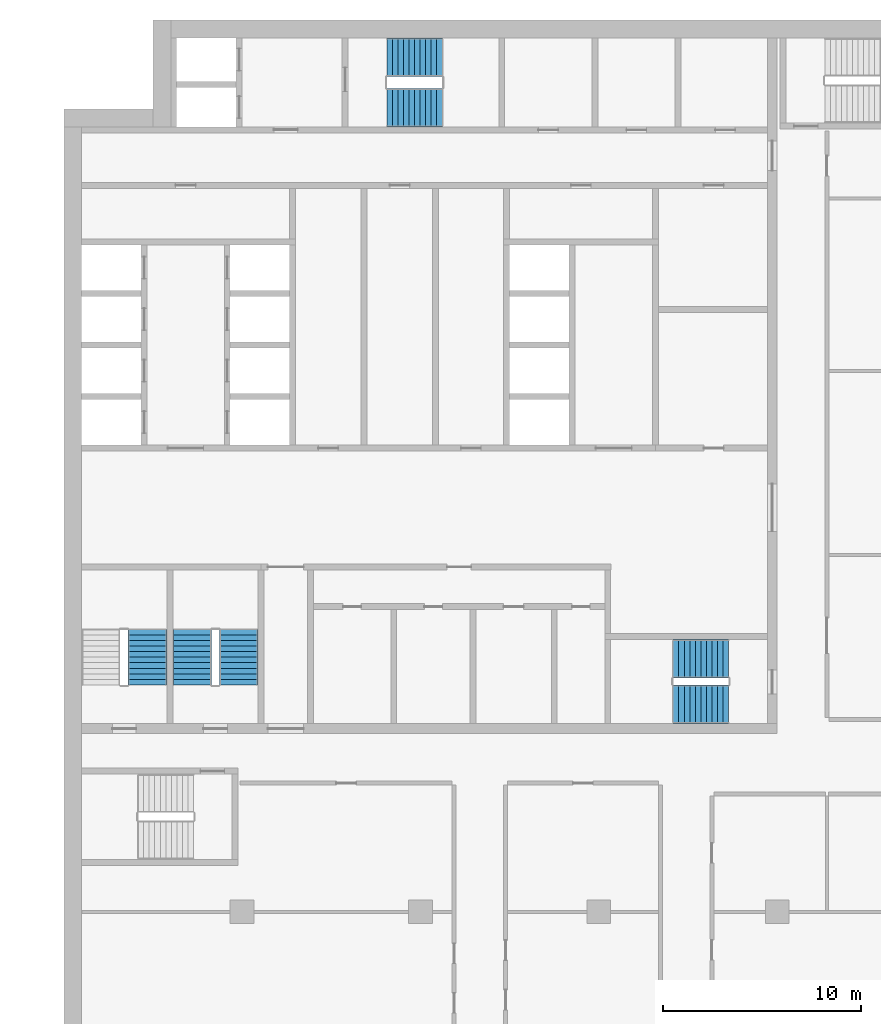
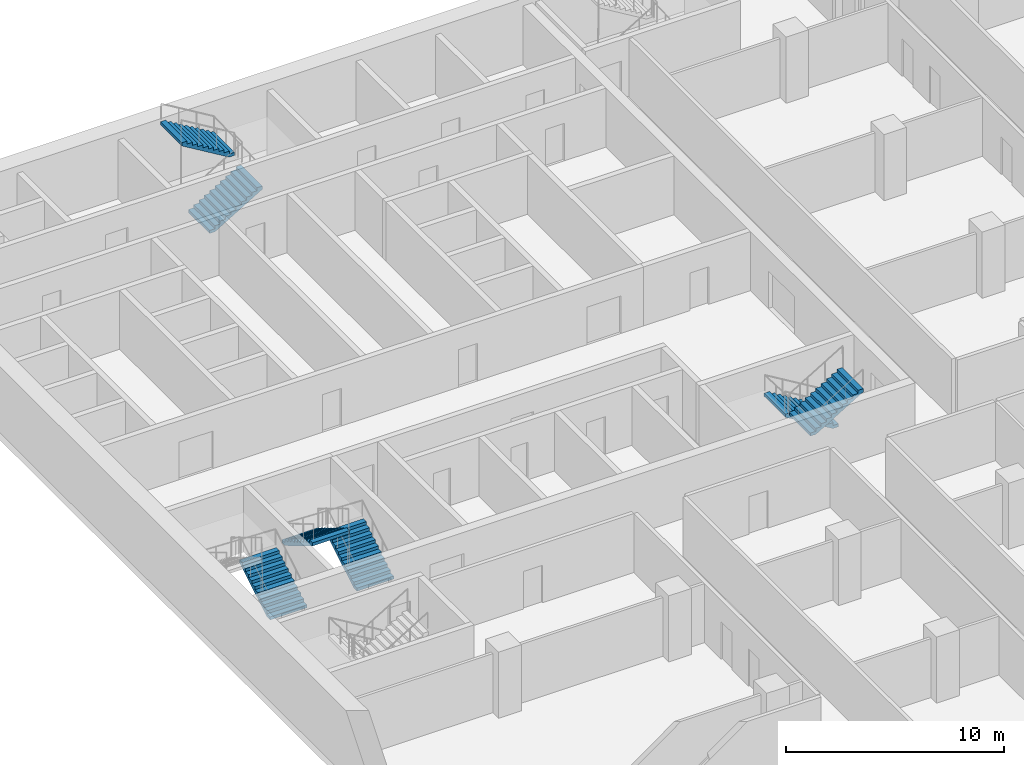
# One storey, part 17 of 23: 7 stair flights, 4 elements without a shape of their own.
"""IFC4 building model written with IfcOpenShell, lengths in metres."""

from ifc_helpers import new_model, si_unit, direction, frame, origin, place, context, subcontext, project, spatial, polyline, outline, extrude, material, type_object, element, aggregate, save


model = new_model("IFC4")

# Units and contexts
model_context = context("Model", 3, precision=1e-05, world=origin(), true_north=direction((0.0, 1.0)))
body_context = subcontext(model_context, "Body", "Model", "MODEL_VIEW")
ifc_project = project(units=[si_unit("LENGTHUNIT", "METRE"), si_unit("AREAUNIT", "SQUARE_METRE"), si_unit("VOLUMEUNIT", "CUBIC_METRE"), si_unit("PLANEANGLEUNIT", "RADIAN"), si_unit("MASSUNIT", "GRAM", prefix="KILO")], contexts=[model_context])

# Site, building, storey
site_placement = place(None, origin())
site = spatial("IfcSite", under=ifc_project, at=site_placement, CompositionType="ELEMENT")
building_placement = place(site_placement, origin())
building = spatial("IfcBuilding", under=site, at=building_placement, Name="Hunhe Ridgeline Campus", CompositionType="ELEMENT")
storey_placement = place(building_placement, frame((0.0, 0.0, 148.60009765625)))
storey = spatial("IfcBuildingStorey", under=building, at=storey_placement, Name="L37", CompositionType="ELEMENT", Elevation=148.60009765625)

# Stair, stair flights
ifc_material = material(Name="Concrete C40", Category="concrete")
stair_type = type_object("IfcStairType", Name="Reinforced concrete dog-leg stair 1950 Concrete C40", PredefinedType="HALF_TURN_STAIR", material=ifc_material)
stair_1_placement = place(storey_placement, origin())
stair_1 = element("IfcStair", 1, at=stair_1_placement, inside=storey, type_object=stair_type, Name="L37 S1", PredefinedType="HALF_TURN_STAIR")
stair_flight_type = type_object("IfcStairFlightType", Name="Reinforced concrete stair flight 1950 Concrete C40", PredefinedType="STRAIGHT", material=ifc_material)
stair_flight_1_placement = place(storey_placement, frame((16.300048828125, 94.574951171875, 0.0), z_axis=(0.0, 0.0, 1.0), x_axis=(1.0, 0.0, 0.0)))
stair_flight_1 = element("IfcStairFlight", 2, at=stair_flight_1_placement, type_object=stair_flight_type, Name="ST1 flight 1", NumberOfRisers=11, NumberOfTreads=10, PredefinedType="STRAIGHT", RiserHeight=0.168181818, TreadLength=0.28, context=body_context, shape_type="SweptSolid", body=[
    extrude(outline(polyline([(0.0, 0.0), (0.0, 0.168212890625), (0.280029296875, 0.168212890625), (0.280029296875, 0.33642578125), (0.56005859375, 0.33642578125), (0.56005859375, 0.504638671875), (0.840087890625, 0.504638671875), (0.840087890625, 0.672607421875), (1.1201171875, 0.672607421875), (1.1201171875, 0.8408203125), (1.39990234375, 0.8408203125), (1.39990234375, 1.009033203125), (1.679931640625, 1.009033203125), (1.679931640625, 1.17724609375), (1.9599609375, 1.17724609375), (1.9599609375, 1.345458984375), (2.239990234375, 1.345458984375), (2.239990234375, 1.513671875), (2.52001953125, 1.513671875), (2.52001953125, 1.681884765625), (2.800048828125, 1.681884765625), (2.800048828125, 1.85009765625), (2.800048828125, 1.5068359375), (0.291015625, 0.0), (0.0, 0.0)])), frame((0.0, 0.97509765625, 0.0), z_axis=(0.0, -1.0, 0.0), x_axis=(1.0, 0.0, 0.0)), (0.0, 0.0, 1.0), 1.949951171875),
    extrude(outline(polyline([(0.030029296875, 0.030029296875), (0.030029296875, 0.13818359375), (0.31005859375, 0.13818359375), (0.31005859375, 0.306396484375), (0.590087890625, 0.306396484375), (0.590087890625, 0.474609375), (0.8701171875, 0.474609375), (0.8701171875, 0.642578125), (1.14990234375, 0.642578125), (1.14990234375, 0.810791015625), (1.429931640625, 0.810791015625), (1.429931640625, 0.97900390625), (1.7099609375, 0.97900390625), (1.7099609375, 1.147216796875), (1.989990234375, 1.147216796875), (1.989990234375, 1.3154296875), (2.27001953125, 1.3154296875), (2.27001953125, 1.483642578125), (2.550048828125, 1.483642578125), (2.550048828125, 1.65185546875), (2.77001953125, 1.65185546875), (2.77001953125, 1.52392578125), (0.28271484375, 0.030029296875), (0.030029296875, 0.030029296875)])), frame((0.0, -0.070068359375, 0.0), z_axis=(0.0, -1.0, 0.0), x_axis=(1.0, 0.0, 0.0)), (0.0, 0.0, 1.0), 0.019775390625),
    extrude(outline(polyline([(0.030029296875, 0.030029296875), (0.030029296875, 0.13818359375), (0.31005859375, 0.13818359375), (0.31005859375, 0.306396484375), (0.590087890625, 0.306396484375), (0.590087890625, 0.474609375), (0.8701171875, 0.474609375), (0.8701171875, 0.642578125), (1.14990234375, 0.642578125), (1.14990234375, 0.810791015625), (1.429931640625, 0.810791015625), (1.429931640625, 0.97900390625), (1.7099609375, 0.97900390625), (1.7099609375, 1.147216796875), (1.989990234375, 1.147216796875), (1.989990234375, 1.3154296875), (2.27001953125, 1.3154296875), (2.27001953125, 1.483642578125), (2.550048828125, 1.483642578125), (2.550048828125, 1.65185546875), (2.77001953125, 1.65185546875), (2.77001953125, 1.52392578125), (0.28271484375, 0.030029296875), (0.030029296875, 0.030029296875)])), frame((0.0, 0.010009765625, 0.0), z_axis=(0.0, -1.0, 0.0), x_axis=(1.0, 0.0, 0.0)), (0.0, 0.0, 1.0), 0.019775390625),
    extrude(outline(polyline([(0.030029296875, 0.030029296875), (0.030029296875, 0.13818359375), (0.31005859375, 0.13818359375), (0.31005859375, 0.306396484375), (0.590087890625, 0.306396484375), (0.590087890625, 0.474609375), (0.8701171875, 0.474609375), (0.8701171875, 0.642578125), (1.14990234375, 0.642578125), (1.14990234375, 0.810791015625), (1.429931640625, 0.810791015625), (1.429931640625, 0.97900390625), (1.7099609375, 0.97900390625), (1.7099609375, 1.147216796875), (1.989990234375, 1.147216796875), (1.989990234375, 1.3154296875), (2.27001953125, 1.3154296875), (2.27001953125, 1.483642578125), (2.550048828125, 1.483642578125), (2.550048828125, 1.65185546875), (2.77001953125, 1.65185546875), (2.77001953125, 1.52392578125), (0.28271484375, 0.030029296875), (0.030029296875, 0.030029296875)])), frame((0.0, 0.090087890625, 0.0), z_axis=(0.0, -1.0, 0.0), x_axis=(1.0, 0.0, 0.0)), (0.0, 0.0, 1.0), 0.019775390625),
])
stair_flight_2_placement = place(storey_placement, frame((19.10009765625, 97.125, 1.849853515625), z_axis=(0.0, 0.0, 1.0), x_axis=(-1.0, 0.0, 0.0)))
stair_flight_2 = element("IfcStairFlight", 3, at=stair_flight_2_placement, type_object=stair_flight_type, Name="ST1 flight 2", NumberOfRisers=11, NumberOfTreads=10, PredefinedType="STRAIGHT", RiserHeight=0.168181818, TreadLength=0.28, context=body_context, shape_type="SweptSolid", body=[
    extrude(outline(polyline([(0.0, 0.0), (0.0, 0.168212890625), (0.280029296875, 0.168212890625), (0.280029296875, 0.33642578125), (0.56005859375, 0.33642578125), (0.56005859375, 0.504638671875), (0.840087890625, 0.504638671875), (0.840087890625, 0.672607421875), (1.1201171875, 0.672607421875), (1.1201171875, 0.8408203125), (1.39990234375, 0.8408203125), (1.39990234375, 1.009033203125), (1.679931640625, 1.009033203125), (1.679931640625, 1.17724609375), (1.9599609375, 1.17724609375), (1.9599609375, 1.345458984375), (2.239990234375, 1.345458984375), (2.239990234375, 1.513671875), (2.52001953125, 1.513671875), (2.52001953125, 1.681884765625), (2.800048828125, 1.681884765625), (2.800048828125, 1.85009765625), (2.800048828125, 1.5068359375), (0.291015625, 0.0), (0.0, 0.0)])), frame((0.0, 0.97509765625, 0.0), z_axis=(0.0, -1.0, 0.0), x_axis=(1.0, 0.0, 0.0)), (0.0, 0.0, 1.0), 1.949951171875),
    extrude(outline(polyline([(0.030029296875, 0.030029296875), (0.030029296875, 0.13818359375), (0.31005859375, 0.13818359375), (0.31005859375, 0.306396484375), (0.590087890625, 0.306396484375), (0.590087890625, 0.474609375), (0.8701171875, 0.474609375), (0.8701171875, 0.642578125), (1.14990234375, 0.642578125), (1.14990234375, 0.810791015625), (1.429931640625, 0.810791015625), (1.429931640625, 0.97900390625), (1.7099609375, 0.97900390625), (1.7099609375, 1.147216796875), (1.989990234375, 1.147216796875), (1.989990234375, 1.3154296875), (2.27001953125, 1.3154296875), (2.27001953125, 1.483642578125), (2.550048828125, 1.483642578125), (2.550048828125, 1.65185546875), (2.77001953125, 1.65185546875), (2.77001953125, 1.52392578125), (0.28271484375, 0.030029296875), (0.030029296875, 0.030029296875)])), frame((0.0, -0.070068359375, 0.0), z_axis=(0.0, -1.0, 0.0), x_axis=(1.0, 0.0, 0.0)), (0.0, 0.0, 1.0), 0.019775390625),
    extrude(outline(polyline([(0.030029296875, 0.030029296875), (0.030029296875, 0.13818359375), (0.31005859375, 0.13818359375), (0.31005859375, 0.306396484375), (0.590087890625, 0.306396484375), (0.590087890625, 0.474609375), (0.8701171875, 0.474609375), (0.8701171875, 0.642578125), (1.14990234375, 0.642578125), (1.14990234375, 0.810791015625), (1.429931640625, 0.810791015625), (1.429931640625, 0.97900390625), (1.7099609375, 0.97900390625), (1.7099609375, 1.147216796875), (1.989990234375, 1.147216796875), (1.989990234375, 1.3154296875), (2.27001953125, 1.3154296875), (2.27001953125, 1.483642578125), (2.550048828125, 1.483642578125), (2.550048828125, 1.65185546875), (2.77001953125, 1.65185546875), (2.77001953125, 1.52392578125), (0.28271484375, 0.030029296875), (0.030029296875, 0.030029296875)])), frame((0.0, 0.010009765625, 0.0), z_axis=(0.0, -1.0, 0.0), x_axis=(1.0, 0.0, 0.0)), (0.0, 0.0, 1.0), 0.019775390625),
    extrude(outline(polyline([(0.030029296875, 0.030029296875), (0.030029296875, 0.13818359375), (0.31005859375, 0.13818359375), (0.31005859375, 0.306396484375), (0.590087890625, 0.306396484375), (0.590087890625, 0.474609375), (0.8701171875, 0.474609375), (0.8701171875, 0.642578125), (1.14990234375, 0.642578125), (1.14990234375, 0.810791015625), (1.429931640625, 0.810791015625), (1.429931640625, 0.97900390625), (1.7099609375, 0.97900390625), (1.7099609375, 1.147216796875), (1.989990234375, 1.147216796875), (1.989990234375, 1.3154296875), (2.27001953125, 1.3154296875), (2.27001953125, 1.483642578125), (2.550048828125, 1.483642578125), (2.550048828125, 1.65185546875), (2.77001953125, 1.65185546875), (2.77001953125, 1.52392578125), (0.28271484375, 0.030029296875), (0.030029296875, 0.030029296875)])), frame((0.0, 0.090087890625, 0.0), z_axis=(0.0, -1.0, 0.0), x_axis=(1.0, 0.0, 0.0)), (0.0, 0.0, 1.0), 0.019775390625),
])
aggregate(stair_1, [stair_flight_1, stair_flight_2])

stair_2_placement = place(storey_placement, origin())
stair_2 = element("IfcStair", 4, at=stair_2_placement, inside=storey, type_object=stair_type, Name="L37 S2", PredefinedType="HALF_TURN_STAIR")
stair_flight_3_placement = place(storey_placement, frame((33.550048828125, 66.77490234375, 0.0), z_axis=(0.0, 0.0, 1.0), x_axis=(-1.0, 0.0, 0.0)))
stair_flight_3 = element("IfcStairFlight", 5, at=stair_flight_3_placement, type_object=stair_flight_type, Name="ST2 flight 1", NumberOfRisers=11, NumberOfTreads=10, PredefinedType="STRAIGHT", RiserHeight=0.168181818, TreadLength=0.28, context=body_context, shape_type="SweptSolid", body=[
    extrude(outline(polyline([(0.0, 0.0), (0.0, 0.168212890625), (0.280029296875, 0.168212890625), (0.280029296875, 0.33642578125), (0.56005859375, 0.33642578125), (0.56005859375, 0.504638671875), (0.840087890625, 0.504638671875), (0.840087890625, 0.672607421875), (1.1201171875, 0.672607421875), (1.1201171875, 0.8408203125), (1.39990234375, 0.8408203125), (1.39990234375, 1.009033203125), (1.679931640625, 1.009033203125), (1.679931640625, 1.17724609375), (1.9599609375, 1.17724609375), (1.9599609375, 1.345458984375), (2.239990234375, 1.345458984375), (2.239990234375, 1.513671875), (2.52001953125, 1.513671875), (2.52001953125, 1.681884765625), (2.800048828125, 1.681884765625), (2.800048828125, 1.85009765625), (2.800048828125, 1.5068359375), (0.291015625, 0.0), (0.0, 0.0)])), frame((0.0, 0.97509765625, 0.0), z_axis=(0.0, -1.0, 0.0), x_axis=(1.0, 0.0, 0.0)), (0.0, 0.0, 1.0), 1.949951171875),
    extrude(outline(polyline([(0.030029296875, 0.030029296875), (0.030029296875, 0.13818359375), (0.31005859375, 0.13818359375), (0.31005859375, 0.306396484375), (0.590087890625, 0.306396484375), (0.590087890625, 0.474609375), (0.8701171875, 0.474609375), (0.8701171875, 0.642578125), (1.14990234375, 0.642578125), (1.14990234375, 0.810791015625), (1.429931640625, 0.810791015625), (1.429931640625, 0.97900390625), (1.7099609375, 0.97900390625), (1.7099609375, 1.147216796875), (1.989990234375, 1.147216796875), (1.989990234375, 1.3154296875), (2.27001953125, 1.3154296875), (2.27001953125, 1.483642578125), (2.550048828125, 1.483642578125), (2.550048828125, 1.65185546875), (2.77001953125, 1.65185546875), (2.77001953125, 1.52392578125), (0.28271484375, 0.030029296875), (0.030029296875, 0.030029296875)])), frame((0.0, -0.070068359375, 0.0), z_axis=(0.0, -1.0, 0.0), x_axis=(1.0, 0.0, 0.0)), (0.0, 0.0, 1.0), 0.019775390625),
    extrude(outline(polyline([(0.030029296875, 0.030029296875), (0.030029296875, 0.13818359375), (0.31005859375, 0.13818359375), (0.31005859375, 0.306396484375), (0.590087890625, 0.306396484375), (0.590087890625, 0.474609375), (0.8701171875, 0.474609375), (0.8701171875, 0.642578125), (1.14990234375, 0.642578125), (1.14990234375, 0.810791015625), (1.429931640625, 0.810791015625), (1.429931640625, 0.97900390625), (1.7099609375, 0.97900390625), (1.7099609375, 1.147216796875), (1.989990234375, 1.147216796875), (1.989990234375, 1.3154296875), (2.27001953125, 1.3154296875), (2.27001953125, 1.483642578125), (2.550048828125, 1.483642578125), (2.550048828125, 1.65185546875), (2.77001953125, 1.65185546875), (2.77001953125, 1.52392578125), (0.28271484375, 0.030029296875), (0.030029296875, 0.030029296875)])), frame((0.0, 0.010009765625, 0.0), z_axis=(0.0, -1.0, 0.0), x_axis=(1.0, 0.0, 0.0)), (0.0, 0.0, 1.0), 0.019775390625),
    extrude(outline(polyline([(0.030029296875, 0.030029296875), (0.030029296875, 0.13818359375), (0.31005859375, 0.13818359375), (0.31005859375, 0.306396484375), (0.590087890625, 0.306396484375), (0.590087890625, 0.474609375), (0.8701171875, 0.474609375), (0.8701171875, 0.642578125), (1.14990234375, 0.642578125), (1.14990234375, 0.810791015625), (1.429931640625, 0.810791015625), (1.429931640625, 0.97900390625), (1.7099609375, 0.97900390625), (1.7099609375, 1.147216796875), (1.989990234375, 1.147216796875), (1.989990234375, 1.3154296875), (2.27001953125, 1.3154296875), (2.27001953125, 1.483642578125), (2.550048828125, 1.483642578125), (2.550048828125, 1.65185546875), (2.77001953125, 1.65185546875), (2.77001953125, 1.52392578125), (0.28271484375, 0.030029296875), (0.030029296875, 0.030029296875)])), frame((0.0, 0.090087890625, 0.0), z_axis=(0.0, -1.0, 0.0), x_axis=(1.0, 0.0, 0.0)), (0.0, 0.0, 1.0), 0.019775390625),
])
stair_flight_4_placement = place(storey_placement, frame((30.75, 64.47509765625, 1.849853515625), z_axis=(0.0, 0.0, 1.0), x_axis=(1.0, 0.0, 0.0)))
stair_flight_4 = element("IfcStairFlight", 6, at=stair_flight_4_placement, type_object=stair_flight_type, Name="ST2 flight 2", NumberOfRisers=11, NumberOfTreads=10, PredefinedType="STRAIGHT", RiserHeight=0.168181818, TreadLength=0.28, context=body_context, shape_type="SweptSolid", body=[
    extrude(outline(polyline([(0.0, 0.0), (0.0, 0.168212890625), (0.280029296875, 0.168212890625), (0.280029296875, 0.33642578125), (0.56005859375, 0.33642578125), (0.56005859375, 0.504638671875), (0.840087890625, 0.504638671875), (0.840087890625, 0.672607421875), (1.1201171875, 0.672607421875), (1.1201171875, 0.8408203125), (1.39990234375, 0.8408203125), (1.39990234375, 1.009033203125), (1.679931640625, 1.009033203125), (1.679931640625, 1.17724609375), (1.9599609375, 1.17724609375), (1.9599609375, 1.345458984375), (2.239990234375, 1.345458984375), (2.239990234375, 1.513671875), (2.52001953125, 1.513671875), (2.52001953125, 1.681884765625), (2.800048828125, 1.681884765625), (2.800048828125, 1.85009765625), (2.800048828125, 1.5068359375), (0.291015625, 0.0), (0.0, 0.0)])), frame((0.0, 0.97509765625, 0.0), z_axis=(0.0, -1.0, 0.0), x_axis=(1.0, 0.0, 0.0)), (0.0, 0.0, 1.0), 1.949951171875),
    extrude(outline(polyline([(0.030029296875, 0.030029296875), (0.030029296875, 0.13818359375), (0.31005859375, 0.13818359375), (0.31005859375, 0.306396484375), (0.590087890625, 0.306396484375), (0.590087890625, 0.474609375), (0.8701171875, 0.474609375), (0.8701171875, 0.642578125), (1.14990234375, 0.642578125), (1.14990234375, 0.810791015625), (1.429931640625, 0.810791015625), (1.429931640625, 0.97900390625), (1.7099609375, 0.97900390625), (1.7099609375, 1.147216796875), (1.989990234375, 1.147216796875), (1.989990234375, 1.3154296875), (2.27001953125, 1.3154296875), (2.27001953125, 1.483642578125), (2.550048828125, 1.483642578125), (2.550048828125, 1.65185546875), (2.77001953125, 1.65185546875), (2.77001953125, 1.52392578125), (0.28271484375, 0.030029296875), (0.030029296875, 0.030029296875)])), frame((0.0, -0.070068359375, 0.0), z_axis=(0.0, -1.0, 0.0), x_axis=(1.0, 0.0, 0.0)), (0.0, 0.0, 1.0), 0.019775390625),
    extrude(outline(polyline([(0.030029296875, 0.030029296875), (0.030029296875, 0.13818359375), (0.31005859375, 0.13818359375), (0.31005859375, 0.306396484375), (0.590087890625, 0.306396484375), (0.590087890625, 0.474609375), (0.8701171875, 0.474609375), (0.8701171875, 0.642578125), (1.14990234375, 0.642578125), (1.14990234375, 0.810791015625), (1.429931640625, 0.810791015625), (1.429931640625, 0.97900390625), (1.7099609375, 0.97900390625), (1.7099609375, 1.147216796875), (1.989990234375, 1.147216796875), (1.989990234375, 1.3154296875), (2.27001953125, 1.3154296875), (2.27001953125, 1.483642578125), (2.550048828125, 1.483642578125), (2.550048828125, 1.65185546875), (2.77001953125, 1.65185546875), (2.77001953125, 1.52392578125), (0.28271484375, 0.030029296875), (0.030029296875, 0.030029296875)])), frame((0.0, 0.010009765625, 0.0), z_axis=(0.0, -1.0, 0.0), x_axis=(1.0, 0.0, 0.0)), (0.0, 0.0, 1.0), 0.019775390625),
    extrude(outline(polyline([(0.030029296875, 0.030029296875), (0.030029296875, 0.13818359375), (0.31005859375, 0.13818359375), (0.31005859375, 0.306396484375), (0.590087890625, 0.306396484375), (0.590087890625, 0.474609375), (0.8701171875, 0.474609375), (0.8701171875, 0.642578125), (1.14990234375, 0.642578125), (1.14990234375, 0.810791015625), (1.429931640625, 0.810791015625), (1.429931640625, 0.97900390625), (1.7099609375, 0.97900390625), (1.7099609375, 1.147216796875), (1.989990234375, 1.147216796875), (1.989990234375, 1.3154296875), (2.27001953125, 1.3154296875), (2.27001953125, 1.483642578125), (2.550048828125, 1.483642578125), (2.550048828125, 1.65185546875), (2.77001953125, 1.65185546875), (2.77001953125, 1.52392578125), (0.28271484375, 0.030029296875), (0.030029296875, 0.030029296875)])), frame((0.0, 0.090087890625, 0.0), z_axis=(0.0, -1.0, 0.0), x_axis=(1.0, 0.0, 0.0)), (0.0, 0.0, 1.0), 0.019775390625),
])
aggregate(stair_2, [stair_flight_3, stair_flight_4])

# Stair, stair flight
stair_3_placement = place(storey_placement, origin())
stair_3 = element("IfcStair", 7, at=stair_3_placement, inside=storey, type_object=stair_type, Name="L37 S3", PredefinedType="HALF_TURN_STAIR")
stair_flight_5_placement = place(storey_placement, frame((4.22509765625, 65.449951171875, 0.0), z_axis=(0.0, 0.0, 1.0), x_axis=(0.0, 1.0, 0.0)))
stair_flight_5 = element("IfcStairFlight", 8, at=stair_flight_5_placement, type_object=stair_flight_type, Name="ST3 flight 1", NumberOfRisers=11, NumberOfTreads=10, PredefinedType="STRAIGHT", RiserHeight=0.168181818, TreadLength=0.28, context=body_context, shape_type="SweptSolid", body=[
    extrude(outline(polyline([(0.0, 0.0), (0.0, 0.168212890625), (0.280029296875, 0.168212890625), (0.280029296875, 0.33642578125), (0.56005859375, 0.33642578125), (0.56005859375, 0.504638671875), (0.840087890625, 0.504638671875), (0.840087890625, 0.672607421875), (1.1201171875, 0.672607421875), (1.1201171875, 0.8408203125), (1.39990234375, 0.8408203125), (1.39990234375, 1.009033203125), (1.679931640625, 1.009033203125), (1.679931640625, 1.17724609375), (1.9599609375, 1.17724609375), (1.9599609375, 1.345458984375), (2.239990234375, 1.345458984375), (2.239990234375, 1.513671875), (2.52001953125, 1.513671875), (2.52001953125, 1.681884765625), (2.800048828125, 1.681884765625), (2.800048828125, 1.85009765625), (2.800048828125, 1.5068359375), (0.291015625, 0.0), (0.0, 0.0)])), frame((0.0, 0.97509765625, 0.0), z_axis=(0.0, -1.0, 0.0), x_axis=(1.0, 0.0, 0.0)), (0.0, 0.0, 1.0), 1.949951171875),
    extrude(outline(polyline([(0.030029296875, 0.030029296875), (0.030029296875, 0.13818359375), (0.31005859375, 0.13818359375), (0.31005859375, 0.306396484375), (0.590087890625, 0.306396484375), (0.590087890625, 0.474609375), (0.8701171875, 0.474609375), (0.8701171875, 0.642578125), (1.14990234375, 0.642578125), (1.14990234375, 0.810791015625), (1.429931640625, 0.810791015625), (1.429931640625, 0.97900390625), (1.7099609375, 0.97900390625), (1.7099609375, 1.147216796875), (1.989990234375, 1.147216796875), (1.989990234375, 1.3154296875), (2.27001953125, 1.3154296875), (2.27001953125, 1.483642578125), (2.550048828125, 1.483642578125), (2.550048828125, 1.65185546875), (2.77001953125, 1.65185546875), (2.77001953125, 1.52392578125), (0.28271484375, 0.030029296875), (0.030029296875, 0.030029296875)])), frame((0.0, -0.070068359375, 0.0), z_axis=(0.0, -1.0, 0.0), x_axis=(1.0, 0.0, 0.0)), (0.0, 0.0, 1.0), 0.019775390625),
    extrude(outline(polyline([(0.030029296875, 0.030029296875), (0.030029296875, 0.13818359375), (0.31005859375, 0.13818359375), (0.31005859375, 0.306396484375), (0.590087890625, 0.306396484375), (0.590087890625, 0.474609375), (0.8701171875, 0.474609375), (0.8701171875, 0.642578125), (1.14990234375, 0.642578125), (1.14990234375, 0.810791015625), (1.429931640625, 0.810791015625), (1.429931640625, 0.97900390625), (1.7099609375, 0.97900390625), (1.7099609375, 1.147216796875), (1.989990234375, 1.147216796875), (1.989990234375, 1.3154296875), (2.27001953125, 1.3154296875), (2.27001953125, 1.483642578125), (2.550048828125, 1.483642578125), (2.550048828125, 1.65185546875), (2.77001953125, 1.65185546875), (2.77001953125, 1.52392578125), (0.28271484375, 0.030029296875), (0.030029296875, 0.030029296875)])), frame((0.0, 0.010009765625, 0.0), z_axis=(0.0, -1.0, 0.0), x_axis=(1.0, 0.0, 0.0)), (0.0, 0.0, 1.0), 0.019775390625),
    extrude(outline(polyline([(0.030029296875, 0.030029296875), (0.030029296875, 0.13818359375), (0.31005859375, 0.13818359375), (0.31005859375, 0.306396484375), (0.590087890625, 0.306396484375), (0.590087890625, 0.474609375), (0.8701171875, 0.474609375), (0.8701171875, 0.642578125), (1.14990234375, 0.642578125), (1.14990234375, 0.810791015625), (1.429931640625, 0.810791015625), (1.429931640625, 0.97900390625), (1.7099609375, 0.97900390625), (1.7099609375, 1.147216796875), (1.989990234375, 1.147216796875), (1.989990234375, 1.3154296875), (2.27001953125, 1.3154296875), (2.27001953125, 1.483642578125), (2.550048828125, 1.483642578125), (2.550048828125, 1.65185546875), (2.77001953125, 1.65185546875), (2.77001953125, 1.52392578125), (0.28271484375, 0.030029296875), (0.030029296875, 0.030029296875)])), frame((0.0, 0.090087890625, 0.0), z_axis=(0.0, -1.0, 0.0), x_axis=(1.0, 0.0, 0.0)), (0.0, 0.0, 1.0), 0.019775390625),
])
aggregate(stair_3, [stair_flight_5])

# Stair, stair flights
stair_4_placement = place(storey_placement, origin())
stair_4 = element("IfcStair", 9, at=stair_4_placement, inside=storey, type_object=stair_type, Name="L37 S4", PredefinedType="HALF_TURN_STAIR")
stair_flight_6_placement = place(storey_placement, frame((8.824951171875, 65.449951171875, 0.0), z_axis=(0.0, 0.0, 1.0), x_axis=(0.0, 1.0, 0.0)))
stair_flight_6 = element("IfcStairFlight", 10, at=stair_flight_6_placement, type_object=stair_flight_type, Name="ST4 flight 1", NumberOfRisers=11, NumberOfTreads=10, PredefinedType="STRAIGHT", RiserHeight=0.168181818, TreadLength=0.28, context=body_context, shape_type="SweptSolid", body=[
    extrude(outline(polyline([(0.0, 0.0), (0.0, 0.168212890625), (0.280029296875, 0.168212890625), (0.280029296875, 0.33642578125), (0.56005859375, 0.33642578125), (0.56005859375, 0.504638671875), (0.840087890625, 0.504638671875), (0.840087890625, 0.672607421875), (1.1201171875, 0.672607421875), (1.1201171875, 0.8408203125), (1.39990234375, 0.8408203125), (1.39990234375, 1.009033203125), (1.679931640625, 1.009033203125), (1.679931640625, 1.17724609375), (1.9599609375, 1.17724609375), (1.9599609375, 1.345458984375), (2.239990234375, 1.345458984375), (2.239990234375, 1.513671875), (2.52001953125, 1.513671875), (2.52001953125, 1.681884765625), (2.800048828125, 1.681884765625), (2.800048828125, 1.85009765625), (2.800048828125, 1.5068359375), (0.291015625, 0.0), (0.0, 0.0)])), frame((0.0, 0.97509765625, 0.0), z_axis=(0.0, -1.0, 0.0), x_axis=(1.0, 0.0, 0.0)), (0.0, 0.0, 1.0), 1.949951171875),
    extrude(outline(polyline([(0.030029296875, 0.030029296875), (0.030029296875, 0.13818359375), (0.31005859375, 0.13818359375), (0.31005859375, 0.306396484375), (0.590087890625, 0.306396484375), (0.590087890625, 0.474609375), (0.8701171875, 0.474609375), (0.8701171875, 0.642578125), (1.14990234375, 0.642578125), (1.14990234375, 0.810791015625), (1.429931640625, 0.810791015625), (1.429931640625, 0.97900390625), (1.7099609375, 0.97900390625), (1.7099609375, 1.147216796875), (1.989990234375, 1.147216796875), (1.989990234375, 1.3154296875), (2.27001953125, 1.3154296875), (2.27001953125, 1.483642578125), (2.550048828125, 1.483642578125), (2.550048828125, 1.65185546875), (2.77001953125, 1.65185546875), (2.77001953125, 1.52392578125), (0.28271484375, 0.030029296875), (0.030029296875, 0.030029296875)])), frame((0.0, -0.070068359375, 0.0), z_axis=(0.0, -1.0, 0.0), x_axis=(1.0, 0.0, 0.0)), (0.0, 0.0, 1.0), 0.019775390625),
    extrude(outline(polyline([(0.030029296875, 0.030029296875), (0.030029296875, 0.13818359375), (0.31005859375, 0.13818359375), (0.31005859375, 0.306396484375), (0.590087890625, 0.306396484375), (0.590087890625, 0.474609375), (0.8701171875, 0.474609375), (0.8701171875, 0.642578125), (1.14990234375, 0.642578125), (1.14990234375, 0.810791015625), (1.429931640625, 0.810791015625), (1.429931640625, 0.97900390625), (1.7099609375, 0.97900390625), (1.7099609375, 1.147216796875), (1.989990234375, 1.147216796875), (1.989990234375, 1.3154296875), (2.27001953125, 1.3154296875), (2.27001953125, 1.483642578125), (2.550048828125, 1.483642578125), (2.550048828125, 1.65185546875), (2.77001953125, 1.65185546875), (2.77001953125, 1.52392578125), (0.28271484375, 0.030029296875), (0.030029296875, 0.030029296875)])), frame((0.0, 0.010009765625, 0.0), z_axis=(0.0, -1.0, 0.0), x_axis=(1.0, 0.0, 0.0)), (0.0, 0.0, 1.0), 0.019775390625),
    extrude(outline(polyline([(0.030029296875, 0.030029296875), (0.030029296875, 0.13818359375), (0.31005859375, 0.13818359375), (0.31005859375, 0.306396484375), (0.590087890625, 0.306396484375), (0.590087890625, 0.474609375), (0.8701171875, 0.474609375), (0.8701171875, 0.642578125), (1.14990234375, 0.642578125), (1.14990234375, 0.810791015625), (1.429931640625, 0.810791015625), (1.429931640625, 0.97900390625), (1.7099609375, 0.97900390625), (1.7099609375, 1.147216796875), (1.989990234375, 1.147216796875), (1.989990234375, 1.3154296875), (2.27001953125, 1.3154296875), (2.27001953125, 1.483642578125), (2.550048828125, 1.483642578125), (2.550048828125, 1.65185546875), (2.77001953125, 1.65185546875), (2.77001953125, 1.52392578125), (0.28271484375, 0.030029296875), (0.030029296875, 0.030029296875)])), frame((0.0, 0.090087890625, 0.0), z_axis=(0.0, -1.0, 0.0), x_axis=(1.0, 0.0, 0.0)), (0.0, 0.0, 1.0), 0.019775390625),
])
stair_flight_7_placement = place(storey_placement, frame((6.47509765625, 68.25, 1.849853515625), z_axis=(0.0, 0.0, 1.0), x_axis=(0.0, -1.0, 0.0)))
stair_flight_7 = element("IfcStairFlight", 11, at=stair_flight_7_placement, type_object=stair_flight_type, Name="ST4 flight 2", NumberOfRisers=11, NumberOfTreads=10, PredefinedType="STRAIGHT", RiserHeight=0.168181818, TreadLength=0.28, context=body_context, shape_type="SweptSolid", body=[
    extrude(outline(polyline([(0.0, 0.0), (0.0, 0.168212890625), (0.280029296875, 0.168212890625), (0.280029296875, 0.33642578125), (0.56005859375, 0.33642578125), (0.56005859375, 0.504638671875), (0.840087890625, 0.504638671875), (0.840087890625, 0.672607421875), (1.1201171875, 0.672607421875), (1.1201171875, 0.8408203125), (1.39990234375, 0.8408203125), (1.39990234375, 1.009033203125), (1.679931640625, 1.009033203125), (1.679931640625, 1.17724609375), (1.9599609375, 1.17724609375), (1.9599609375, 1.345458984375), (2.239990234375, 1.345458984375), (2.239990234375, 1.513671875), (2.52001953125, 1.513671875), (2.52001953125, 1.681884765625), (2.800048828125, 1.681884765625), (2.800048828125, 1.85009765625), (2.800048828125, 1.5068359375), (0.291015625, 0.0), (0.0, 0.0)])), frame((0.0, 0.97509765625, 0.0), z_axis=(0.0, -1.0, 0.0), x_axis=(1.0, 0.0, 0.0)), (0.0, 0.0, 1.0), 1.949951171875),
    extrude(outline(polyline([(0.030029296875, 0.030029296875), (0.030029296875, 0.13818359375), (0.31005859375, 0.13818359375), (0.31005859375, 0.306396484375), (0.590087890625, 0.306396484375), (0.590087890625, 0.474609375), (0.8701171875, 0.474609375), (0.8701171875, 0.642578125), (1.14990234375, 0.642578125), (1.14990234375, 0.810791015625), (1.429931640625, 0.810791015625), (1.429931640625, 0.97900390625), (1.7099609375, 0.97900390625), (1.7099609375, 1.147216796875), (1.989990234375, 1.147216796875), (1.989990234375, 1.3154296875), (2.27001953125, 1.3154296875), (2.27001953125, 1.483642578125), (2.550048828125, 1.483642578125), (2.550048828125, 1.65185546875), (2.77001953125, 1.65185546875), (2.77001953125, 1.52392578125), (0.28271484375, 0.030029296875), (0.030029296875, 0.030029296875)])), frame((0.0, -0.070068359375, 0.0), z_axis=(0.0, -1.0, 0.0), x_axis=(1.0, 0.0, 0.0)), (0.0, 0.0, 1.0), 0.019775390625),
    extrude(outline(polyline([(0.030029296875, 0.030029296875), (0.030029296875, 0.13818359375), (0.31005859375, 0.13818359375), (0.31005859375, 0.306396484375), (0.590087890625, 0.306396484375), (0.590087890625, 0.474609375), (0.8701171875, 0.474609375), (0.8701171875, 0.642578125), (1.14990234375, 0.642578125), (1.14990234375, 0.810791015625), (1.429931640625, 0.810791015625), (1.429931640625, 0.97900390625), (1.7099609375, 0.97900390625), (1.7099609375, 1.147216796875), (1.989990234375, 1.147216796875), (1.989990234375, 1.3154296875), (2.27001953125, 1.3154296875), (2.27001953125, 1.483642578125), (2.550048828125, 1.483642578125), (2.550048828125, 1.65185546875), (2.77001953125, 1.65185546875), (2.77001953125, 1.52392578125), (0.28271484375, 0.030029296875), (0.030029296875, 0.030029296875)])), frame((0.0, 0.010009765625, 0.0), z_axis=(0.0, -1.0, 0.0), x_axis=(1.0, 0.0, 0.0)), (0.0, 0.0, 1.0), 0.019775390625),
    extrude(outline(polyline([(0.030029296875, 0.030029296875), (0.030029296875, 0.13818359375), (0.31005859375, 0.13818359375), (0.31005859375, 0.306396484375), (0.590087890625, 0.306396484375), (0.590087890625, 0.474609375), (0.8701171875, 0.474609375), (0.8701171875, 0.642578125), (1.14990234375, 0.642578125), (1.14990234375, 0.810791015625), (1.429931640625, 0.810791015625), (1.429931640625, 0.97900390625), (1.7099609375, 0.97900390625), (1.7099609375, 1.147216796875), (1.989990234375, 1.147216796875), (1.989990234375, 1.3154296875), (2.27001953125, 1.3154296875), (2.27001953125, 1.483642578125), (2.550048828125, 1.483642578125), (2.550048828125, 1.65185546875), (2.77001953125, 1.65185546875), (2.77001953125, 1.52392578125), (0.28271484375, 0.030029296875), (0.030029296875, 0.030029296875)])), frame((0.0, 0.090087890625, 0.0), z_axis=(0.0, -1.0, 0.0), x_axis=(1.0, 0.0, 0.0)), (0.0, 0.0, 1.0), 0.019775390625),
])
aggregate(stair_4, [stair_flight_6, stair_flight_7])

save(model, "model.ifc")
